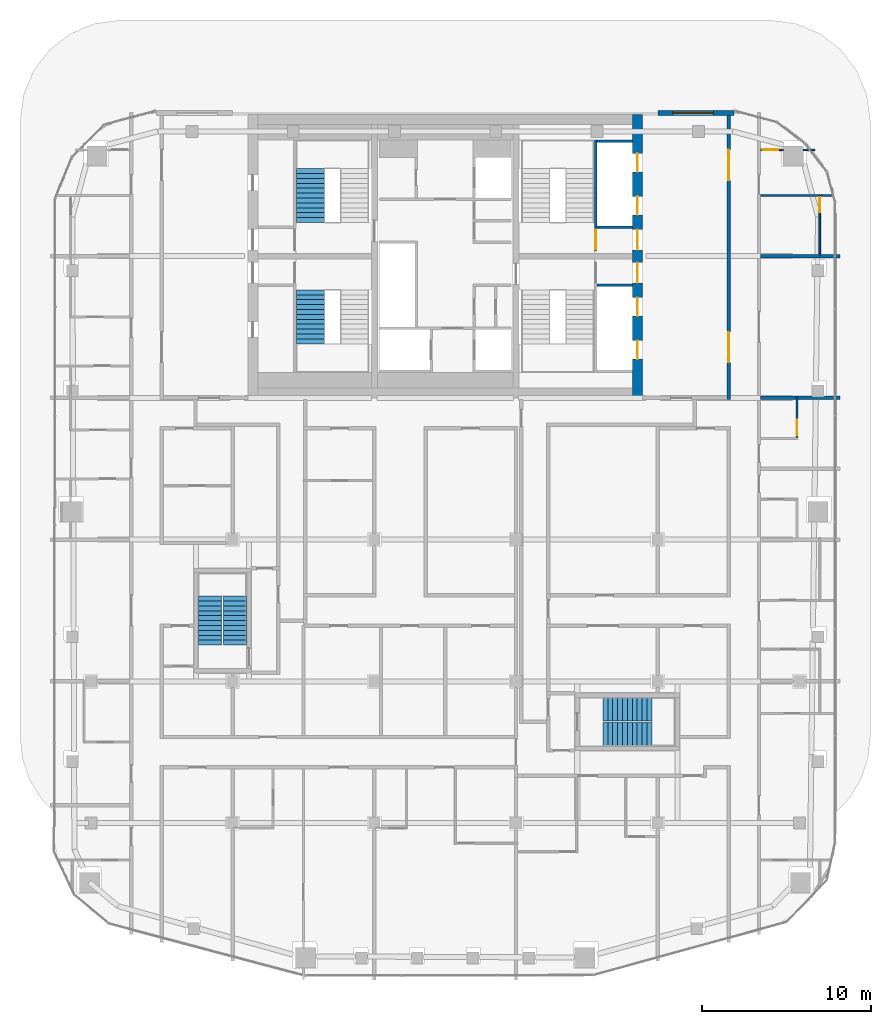
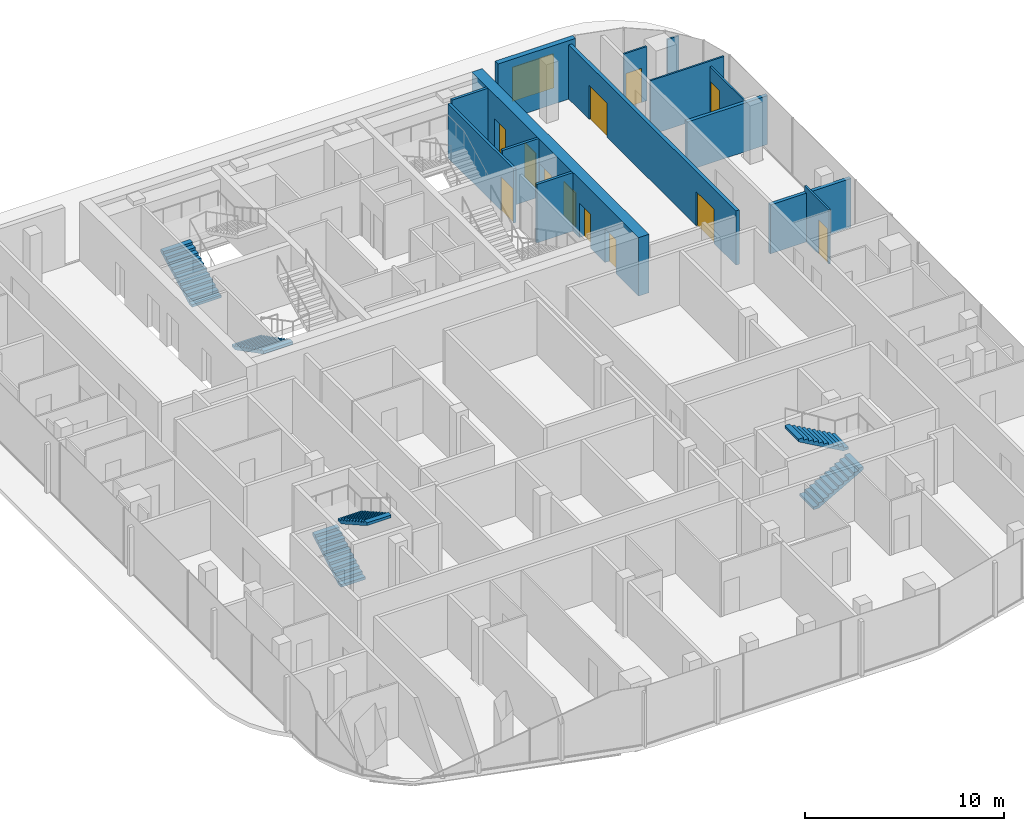
# One storey, part 19 of 21: 14 walls, 12 doors, 6 stair flights, 1 window, 13 openings, 4 elements without a shape of their own.
"""IFC4 building model written with IfcOpenShell, lengths in metres."""

from ifc_helpers import new_model, si_unit, direction, frame, frame_2d, origin, place, context, subcontext, project, spatial, polyline, rectangle, outline, extrude, material, layer, layer_set, type_object, element, fill, aggregate, save


model = new_model("IFC4")

# Units and contexts
model_context = context("Model", 3, precision=1e-05, world=origin(), true_north=direction((0.0, 1.0)))
body_context = subcontext(model_context, "Body", "Model", "MODEL_VIEW")
ifc_project = project(units=[si_unit("LENGTHUNIT", "METRE"), si_unit("AREAUNIT", "SQUARE_METRE"), si_unit("VOLUMEUNIT", "CUBIC_METRE"), si_unit("PLANEANGLEUNIT", "RADIAN"), si_unit("MASSUNIT", "GRAM", prefix="KILO")], contexts=[model_context])

# Site, building, storey
site_placement = place(None, origin())
site = spatial("IfcSite", under=ifc_project, at=site_placement, CompositionType="ELEMENT")
building_placement = place(site_placement, origin())
building = spatial("IfcBuilding", under=site, at=building_placement, Name="Marenta Gate Hotel Tower", CompositionType="ELEMENT")
storey_placement = place(building_placement, frame((0.0, 0.0, 266.89990234375)))
storey = spatial("IfcBuildingStorey", under=building, at=storey_placement, Name="L61", CompositionType="ELEMENT", Elevation=266.89990234375)

# Wall, opening, window
ifc_material_1 = material(Name="Concrete C40 board-marked", Category="concrete")
ifc_layer_1 = layer(ifc_material_1, 0.300048828125)
ifc_layer_set_1 = layer_set([ifc_layer_1], Name="Concrete C40 board-marked")
wall_type_1 = type_object("IfcWallType", Name="Board-marked concrete wall 300 mm", PredefinedType="NOTDEFINED", material=ifc_layer_set_1)
wall_1_placement = place(storey_placement, frame((17.10595703125, 16.889892578125, 0.0), z_axis=(0.0, 0.0, 1.0), x_axis=(-1.0, 0.0, 0.0)))
wall_1 = element("IfcWall", 1, at=wall_1_placement, inside=storey, type_object=wall_type_1, Name="L61-CLD-N00", PredefinedType="NOTDEFINED", context=body_context, shape_type="SweptSolid", body=[
    extrude(rectangle(XDim=4.505859375, YDim=0.300048828125, at=frame_2d((2.2529296875, 0.0))), origin(), (0.0, 0.0, 1.0), 3.60009765625),
])
opening_1_placement = place(wall_1_placement, frame((1.205810546875, 0.0, 0.89990234375)))
opening_1 = element("IfcOpeningElement", 2, at=opening_1_placement, cuts=wall_1, Name="Opening W1", PredefinedType="OPENING", context=body_context, shape_type="SweptSolid", body=[
    extrude(rectangle(XDim=2.39990234375, YDim=2.10009765625, at=frame_2d((1.199951171875, 1.050048828125))), frame((0.0, 0.14990234375, 0.0), z_axis=(0.0, -1.0, 0.0), x_axis=(1.0, 0.0, 0.0)), (0.0, 0.0, 1.0), 0.300048828125),
])
ifc_material_2 = material(Name="Tinted insulated glass in bronze anodised frame", Category="glass")
window_type = type_object("IfcWindowType", Name="Window W1 2400x2100 bronze frame", PartitioningType="SINGLE_PANEL", PredefinedType="WINDOW", material=ifc_material_2)
window_placement = place(opening_1_placement, origin())
window = element("IfcWindow", 3, at=window_placement, inside=storey, type_object=window_type, Name="Window W1", OverallHeight=2.10009765625, OverallWidth=2.39990234375, PartitioningType="SINGLE_PANEL", PredefinedType="WINDOW", context=body_context, shape_type="SweptSolid", body=[
    extrude(rectangle(XDim=2.39990234375, YDim=2.10009765625, at=frame_2d((1.199951171875, 1.050048828125))), frame((0.0, 0.030029296875, 0.0), z_axis=(0.0, -1.0, 0.0), x_axis=(1.0, 0.0, 0.0)), (0.0, 0.0, 1.0), 0.06005859375),
])
fill(opening_1, window)

# Wall, openings, doors
ifc_material_3 = material(Name="Concrete blockwork", Category="masonry")
ifc_layer_2 = layer(ifc_material_3, 0.199951171875)
ifc_layer_set_2 = layer_set([ifc_layer_2], Name="Concrete blockwork")
wall_type_2 = type_object("IfcWallType", Name="Core boundary wall 200 REI 180", PredefinedType="PARTITIONING", material=ifc_layer_set_2)
wall_2_placement = place(storey_placement, frame((16.800048828125, -0.10009765625, 0.0), z_axis=(0.0, 0.0, 1.0), x_axis=(0.0, 1.0, 0.0)))
wall_2 = element("IfcWall", 4, at=wall_2_placement, inside=storey, type_object=wall_type_2, Name="L61-CP-BW-E", PredefinedType="PARTITIONING", context=body_context, shape_type="SweptSolid", body=[
    extrude(rectangle(XDim=17.0, YDim=0.199951171875, at=frame_2d((8.5, 0.0))), origin(), (0.0, 0.0, 1.0), 3.340087890625),
])
opening_2_placement = place(wall_2_placement, frame((2.199951171875, 0.0, 0.0)))
opening_2 = element("IfcOpeningElement", 5, at=opening_2_placement, cuts=wall_2, Name="Opening ED-Ea-B", PredefinedType="OPENING", context=body_context, shape_type="SweptSolid", body=[
    extrude(rectangle(XDim=1.800048828125, YDim=2.10009765625, at=frame_2d((0.89990234375, 1.050048828125))), frame((0.0, 0.10009765625, 0.0), z_axis=(0.0, -1.0, 0.0), x_axis=(1.0, 0.0, 0.0)), (0.0, 0.0, 1.0), 0.199951171875),
])
opening_3_placement = place(wall_2_placement, frame((13.0, 0.0, 0.0)))
opening_3 = element("IfcOpeningElement", 6, at=opening_3_placement, cuts=wall_2, Name="Opening ED-Eb-B", PredefinedType="OPENING", context=body_context, shape_type="SweptSolid", body=[
    extrude(rectangle(XDim=1.800048828125, YDim=2.10009765625, at=frame_2d((0.89990234375, 1.050048828125))), frame((0.0, 0.10009765625, 0.0), z_axis=(0.0, -1.0, 0.0), x_axis=(1.0, 0.0, 0.0)), (0.0, 0.0, 1.0), 0.199951171875),
])
ifc_material_4 = material(Name="Steel", Category="steel")
door_type_1 = type_object("IfcDoorType", Name="Core lobby entrance door 1800x2100 EI 60", OperationType="DOUBLE_DOOR_SINGLE_SWING", PredefinedType="DOOR", material=ifc_material_4)
door_1_placement = place(opening_2_placement, origin())
door_1 = element("IfcDoor", 7, at=door_1_placement, inside=storey, type_object=door_type_1, Name="ED-Ea-B", OperationType="DOUBLE_DOOR_SINGLE_SWING", OverallHeight=2.10009765625, OverallWidth=1.800048828125, PredefinedType="DOOR", context=body_context, shape_type="SweptSolid", body=[
    extrude(rectangle(XDim=1.800048828125, YDim=2.10009765625, at=frame_2d((0.89990234375, 1.050048828125))), frame((0.0, 0.02490234375, 0.0), z_axis=(0.0, -1.0, 0.0), x_axis=(1.0, 0.0, 0.0)), (0.0, 0.0, 1.0), 0.050048828125),
])
fill(opening_2, door_1)
door_2_placement = place(opening_3_placement, origin())
door_2 = element("IfcDoor", 8, at=door_2_placement, inside=storey, type_object=door_type_1, Name="ED-Eb-B", OperationType="DOUBLE_DOOR_SINGLE_SWING", OverallHeight=2.10009765625, OverallWidth=1.800048828125, PredefinedType="DOOR", context=body_context, shape_type="SweptSolid", body=[
    extrude(rectangle(XDim=1.800048828125, YDim=2.10009765625, at=frame_2d((0.89990234375, 1.050048828125))), frame((0.0, 0.02490234375, 0.0), z_axis=(0.0, -1.0, 0.0), x_axis=(1.0, 0.0, 0.0)), (0.0, 0.0, 1.0), 0.050048828125),
])
fill(opening_3, door_2)

# Walls
ifc_material_5 = material(Name="Concrete C40", Category="concrete")
ifc_layer_3 = layer(ifc_material_5, 0.14990234375)
ifc_layer_set_3 = layer_set([ifc_layer_3], Name="Concrete C40")
wall_type_3 = type_object("IfcWallType", Name="Core shaft wall 150 REI 180", PredefinedType="SHEAR", material=ifc_layer_set_3)
for number, where, z_axis, x_axis, name in (
    (9, (9.0, 6.675048828125, 0.0), (0.0, 0.0, 1.0), (1.0, 0.0, 0.0), "L61-SHF-SW-ES-2"),
    (10, (9.0, 10.125, 0.0), (0.0, 0.0, 1.0), (1.0, 0.0, 0.0), "L61-SHF-SW-EN-2"),
    (11, (9.0, 15.22509765625, 0.0), (0.0, 0.0, 1.0), (1.0, 0.0, 0.0), "L61-SHF-SW-EN-5"),
):
    element("IfcWall", number, at=place(storey_placement, frame(where, z_axis=z_axis, x_axis=x_axis)), inside=storey, type_object=wall_type_3, Name=name, PredefinedType="SHEAR", context=body_context, shape_type="SweptSolid", body=[
        extrude(rectangle(XDim=2.10009765625, YDim=0.14990234375, at=frame_2d((1.050048828125, 0.0))), origin(), (0.0, 0.0, 1.0), 3.60009765625),
    ])

# Wall, opening, door
ifc_material_6 = material(Name="Concrete C40", Category="concrete")
ifc_layer_4 = layer(ifc_material_6, 0.14990234375)
ifc_layer_set_4 = layer_set([ifc_layer_4], Name="Concrete C40")
wall_type_4 = type_object("IfcWallType", Name="Core stair enclosure wall 150 REI 180", PredefinedType="SHEAR", material=ifc_layer_set_4)
wall_3_placement = place(storey_placement, frame((8.925048828125, 8.699951171875, 0.0), z_axis=(0.0, 0.0, 1.0), x_axis=(0.0, 1.0, 0.0)))
wall_3 = element("IfcWall", 12, at=wall_3_placement, inside=storey, type_object=wall_type_4, Name="L61-SHF-SW-EN-3", PredefinedType="SHEAR", context=body_context, shape_type="SweptSolid", body=[
    extrude(rectangle(XDim=6.60009765625, YDim=0.14990234375, at=frame_2d((3.300048828125, 0.0))), origin(), (0.0, 0.0, 1.0), 3.340087890625),
])
opening_4_placement = place(wall_3_placement, frame((0.074951171875, 0.0, 0.0)))
opening_4 = element("IfcOpeningElement", 13, at=opening_4_placement, cuts=wall_3, Name="Opening SD-EN", PredefinedType="OPENING", context=body_context, shape_type="SweptSolid", body=[
    extrude(rectangle(XDim=1.199951171875, YDim=2.10009765625, at=frame_2d((0.60009765625, 1.050048828125))), frame((0.0, 0.074951171875, 0.0), z_axis=(0.0, -1.0, 0.0), x_axis=(1.0, 0.0, 0.0)), (0.0, 0.0, 1.0), 0.14990234375),
])
ifc_material_7 = material(Name="Steel", Category="steel")
door_type_2 = type_object("IfcDoorType", Name="Core stair door 1200x2100 FD60", OperationType="SINGLE_SWING_LEFT", PredefinedType="DOOR", material=ifc_material_7)
door_3_placement = place(opening_4_placement, origin())
door_3 = element("IfcDoor", 14, at=door_3_placement, inside=storey, type_object=door_type_2, Name="SD-EN", OperationType="SINGLE_SWING_LEFT", OverallHeight=2.10009765625, OverallWidth=1.199951171875, PredefinedType="DOOR", context=body_context, shape_type="SweptSolid", body=[
    extrude(rectangle(XDim=1.199951171875, YDim=2.10009765625, at=frame_2d((0.60009765625, 1.050048828125))), frame((0.0, 0.02490234375, 0.0), z_axis=(0.0, -1.0, 0.0), x_axis=(1.0, 0.0, 0.0)), (0.0, 0.0, 1.0), 0.050048828125),
])
fill(opening_4, door_3)

# Wall, openings, doors
ifc_material_8 = material(Name="Concrete C50", Category="concrete")
ifc_layer_5 = layer(ifc_material_8, 0.60009765625)
ifc_layer_set_5 = layer_set([ifc_layer_5], Name="Concrete C50")
wall_type_5 = type_object("IfcWallType", Name="Core wall 600 C50", PredefinedType="SHEAR", material=ifc_layer_set_5)
wall_4_placement = place(storey_placement, frame((11.39990234375, 0.0, 0.0), z_axis=(0.0, 0.0, 1.0), x_axis=(0.0, 1.0, 0.0)))
wall_4 = element("IfcWall", 15, at=wall_4_placement, inside=storey, type_object=wall_type_5, Name="L61-CORE-E", PredefinedType="SHEAR", context=body_context, shape_type="SweptSolid", body=[
    extrude(rectangle(XDim=16.800048828125, YDim=0.60009765625, at=frame_2d((8.39990234375, 0.0))), origin(), (0.0, 0.0, 1.0), 3.60009765625),
])
opening_5_placement = place(wall_4_placement, frame((2.300048828125, 0.0, 0.0)))
opening_5 = element("IfcOpeningElement", 16, at=opening_5_placement, cuts=wall_4, Name="Opening LD-HR1", PredefinedType="OPENING", context=body_context, shape_type="SweptSolid", body=[
    extrude(rectangle(XDim=1.10009765625, YDim=2.10009765625, at=frame_2d((0.550048828125, 1.050048828125))), frame((0.0, 0.300048828125, 0.0), z_axis=(0.0, -1.0, 0.0), x_axis=(1.0, 0.0, 0.0)), (0.0, 0.0, 1.0), 0.60009765625),
])
opening_6_placement = place(wall_4_placement, frame((4.85009765625, 0.0, 0.0)))
opening_6 = element("IfcOpeningElement", 17, at=opening_6_placement, cuts=wall_4, Name="Opening LD-HR2", PredefinedType="OPENING", context=body_context, shape_type="SweptSolid", body=[
    extrude(rectangle(XDim=1.10009765625, YDim=2.10009765625, at=frame_2d((0.550048828125, 1.050048828125))), frame((0.0, 0.300048828125, 0.0), z_axis=(0.0, -1.0, 0.0), x_axis=(1.0, 0.0, 0.0)), (0.0, 0.0, 1.0), 0.60009765625),
])
opening_7_placement = place(wall_4_placement, frame((6.824951171875, 0.0, 0.0)))
opening_7 = element("IfcOpeningElement", 18, at=opening_7_placement, cuts=wall_4, Name="Opening PD-ES", PredefinedType="OPENING", context=body_context, shape_type="SweptSolid", body=[
    extrude(rectangle(XDim=1.199951171875, YDim=2.10009765625, at=frame_2d((0.60009765625, 1.050048828125))), frame((0.0, 0.300048828125, 0.0), z_axis=(0.0, -1.0, 0.0), x_axis=(1.0, 0.0, 0.0)), (0.0, 0.0, 1.0), 0.60009765625),
])
opening_8_placement = place(wall_4_placement, frame((13.39990234375, 0.0, 0.0)))
opening_8 = element("IfcOpeningElement", 19, at=opening_8_placement, cuts=wall_4, Name="Opening LD-HR4", PredefinedType="OPENING", context=body_context, shape_type="SweptSolid", body=[
    extrude(rectangle(XDim=1.10009765625, YDim=2.10009765625, at=frame_2d((0.550048828125, 1.050048828125))), frame((0.0, 0.300048828125, 0.0), z_axis=(0.0, -1.0, 0.0), x_axis=(1.0, 0.0, 0.0)), (0.0, 0.0, 1.0), 0.60009765625),
])
opening_9_placement = place(wall_4_placement, frame((10.85009765625, 0.0, 0.0)))
opening_9 = element("IfcOpeningElement", 20, at=opening_9_placement, cuts=wall_4, Name="Opening LD-HR3", PredefinedType="OPENING", context=body_context, shape_type="SweptSolid", body=[
    extrude(rectangle(XDim=1.10009765625, YDim=2.10009765625, at=frame_2d((0.550048828125, 1.050048828125))), frame((0.0, 0.300048828125, 0.0), z_axis=(0.0, -1.0, 0.0), x_axis=(1.0, 0.0, 0.0)), (0.0, 0.0, 1.0), 0.60009765625),
])
opening_10_placement = place(wall_4_placement, frame((8.77490234375, 0.0, 0.0)))
opening_10 = element("IfcOpeningElement", 21, at=opening_10_placement, cuts=wall_4, Name="Opening PD-EN", PredefinedType="OPENING", context=body_context, shape_type="SweptSolid", body=[
    extrude(rectangle(XDim=1.199951171875, YDim=2.10009765625, at=frame_2d((0.60009765625, 1.050048828125))), frame((0.0, 0.300048828125, 0.0), z_axis=(0.0, -1.0, 0.0), x_axis=(1.0, 0.0, 0.0)), (0.0, 0.0, 1.0), 0.60009765625),
])
ifc_material_9 = material(Name="Steel", Category="steel")
door_type_3 = type_object("IfcDoorType", Name="Core lift landing door 1100x2100 E 60", OperationType="SLIDING_TO_LEFT", PredefinedType="DOOR", material=ifc_material_9)
door_4_placement = place(opening_5_placement, origin())
door_4 = element("IfcDoor", 22, at=door_4_placement, inside=storey, type_object=door_type_3, Name="LD-HR1", OperationType="SLIDING_TO_LEFT", OverallHeight=2.10009765625, OverallWidth=1.10009765625, PredefinedType="DOOR", context=body_context, shape_type="SweptSolid", body=[
    extrude(rectangle(XDim=1.10009765625, YDim=2.10009765625, at=frame_2d((0.550048828125, 1.050048828125))), frame((0.0, 0.02490234375, 0.0), z_axis=(0.0, -1.0, 0.0), x_axis=(1.0, 0.0, 0.0)), (0.0, 0.0, 1.0), 0.050048828125),
])
fill(opening_5, door_4)
door_5_placement = place(opening_6_placement, origin())
door_5 = element("IfcDoor", 23, at=door_5_placement, inside=storey, type_object=door_type_3, Name="LD-HR2", OperationType="SLIDING_TO_LEFT", OverallHeight=2.10009765625, OverallWidth=1.10009765625, PredefinedType="DOOR", context=body_context, shape_type="SweptSolid", body=[
    extrude(rectangle(XDim=1.10009765625, YDim=2.10009765625, at=frame_2d((0.550048828125, 1.050048828125))), frame((0.0, 0.02490234375, 0.0), z_axis=(0.0, -1.0, 0.0), x_axis=(1.0, 0.0, 0.0)), (0.0, 0.0, 1.0), 0.050048828125),
])
fill(opening_6, door_5)
door_6_placement = place(opening_8_placement, origin())
door_6 = element("IfcDoor", 24, at=door_6_placement, inside=storey, type_object=door_type_3, Name="LD-HR4", OperationType="SLIDING_TO_LEFT", OverallHeight=2.10009765625, OverallWidth=1.10009765625, PredefinedType="DOOR", context=body_context, shape_type="SweptSolid", body=[
    extrude(rectangle(XDim=1.10009765625, YDim=2.10009765625, at=frame_2d((0.550048828125, 1.050048828125))), frame((0.0, 0.02490234375, 0.0), z_axis=(0.0, -1.0, 0.0), x_axis=(1.0, 0.0, 0.0)), (0.0, 0.0, 1.0), 0.050048828125),
])
fill(opening_8, door_6)
door_7_placement = place(opening_9_placement, origin())
door_7 = element("IfcDoor", 25, at=door_7_placement, inside=storey, type_object=door_type_3, Name="LD-HR3", OperationType="SLIDING_TO_LEFT", OverallHeight=2.10009765625, OverallWidth=1.10009765625, PredefinedType="DOOR", context=body_context, shape_type="SweptSolid", body=[
    extrude(rectangle(XDim=1.10009765625, YDim=2.10009765625, at=frame_2d((0.550048828125, 1.050048828125))), frame((0.0, 0.02490234375, 0.0), z_axis=(0.0, -1.0, 0.0), x_axis=(1.0, 0.0, 0.0)), (0.0, 0.0, 1.0), 0.050048828125),
])
fill(opening_9, door_7)
ifc_material_10 = material(Name="Steel", Category="steel")
door_type_4 = type_object("IfcDoorType", Name="Core lobby door 1200x2100 FD60", OperationType="SINGLE_SWING_LEFT", PredefinedType="DOOR", material=ifc_material_10)
door_8_placement = place(opening_7_placement, origin())
door_8 = element("IfcDoor", 26, at=door_8_placement, inside=storey, type_object=door_type_4, Name="PD-ES", OperationType="SINGLE_SWING_LEFT", OverallHeight=2.10009765625, OverallWidth=1.199951171875, PredefinedType="DOOR", context=body_context, shape_type="SweptSolid", body=[
    extrude(rectangle(XDim=1.199951171875, YDim=2.10009765625, at=frame_2d((0.60009765625, 1.050048828125))), frame((0.0, 0.02490234375, 0.0), z_axis=(0.0, -1.0, 0.0), x_axis=(1.0, 0.0, 0.0)), (0.0, 0.0, 1.0), 0.050048828125),
])
fill(opening_7, door_8)
door_9_placement = place(opening_10_placement, origin())
door_9 = element("IfcDoor", 27, at=door_9_placement, inside=storey, type_object=door_type_4, Name="PD-EN", OperationType="SINGLE_SWING_LEFT", OverallHeight=2.10009765625, OverallWidth=1.199951171875, PredefinedType="DOOR", context=body_context, shape_type="SweptSolid", body=[
    extrude(rectangle(XDim=1.199951171875, YDim=2.10009765625, at=frame_2d((0.60009765625, 1.050048828125))), frame((0.0, 0.02490234375, 0.0), z_axis=(0.0, -1.0, 0.0), x_axis=(1.0, 0.0, 0.0)), (0.0, 0.0, 1.0), 0.050048828125),
])
fill(opening_10, door_9)

# Wall, opening, door
ifc_material_11 = material(Name="Gypsum board on steel stud", Category="steel")
ifc_layer_6 = layer(ifc_material_11, 0.10009765625)
ifc_layer_set_6 = layer_set([ifc_layer_6], Name="Gypsum board on steel stud")
wall_type_6 = type_object("IfcWallType", Name="Room partition 100", PredefinedType="PARTITIONING", material=ifc_layer_set_6)
wall_5_placement = place(storey_placement, frame((22.199951171875, 8.5, 0.0), z_axis=(0.0, 0.0, 1.0), x_axis=(0.0, 1.0, 0.0)))
wall_5 = element("IfcWall", 28, at=wall_5_placement, inside=storey, type_object=wall_type_6, Name="L61-PTN-W015", PredefinedType="PARTITIONING", context=body_context, shape_type="SweptSolid", body=[
    extrude(rectangle(XDim=3.550048828125, YDim=0.10009765625, at=frame_2d((1.77490234375, 0.0))), origin(), (0.0, 0.0, 1.0), 3.0),
])
opening_11_placement = place(wall_5_placement, frame((2.5, 0.0, 0.0)))
opening_11 = element("IfcOpeningElement", 29, at=opening_11_placement, cuts=wall_5, Name="Opening G22-26", PredefinedType="OPENING", context=body_context, shape_type="SweptSolid", body=[
    extrude(rectangle(XDim=0.89990234375, YDim=2.10009765625, at=frame_2d((0.449951171875, 1.050048828125))), frame((0.0, 0.050048828125, 0.0), z_axis=(0.0, -1.0, 0.0), x_axis=(1.0, 0.0, 0.0)), (0.0, 0.0, 1.0), 0.10009765625),
])
ifc_material_12 = material(Name="Timber door leaf", Category="wood")
door_type_5 = type_object("IfcDoorType", Name="Guest bathroom door 900x2100", OperationType="NOTDEFINED", PredefinedType="DOOR", material=ifc_material_12)
door_10_placement = place(opening_11_placement, origin())
door_10 = element("IfcDoor", 30, at=door_10_placement, inside=storey, type_object=door_type_5, Name="L61-PD-D026", OperationType="SINGLE_SWING_RIGHT", OverallHeight=2.10009765625, OverallWidth=0.89990234375, PredefinedType="DOOR", context=body_context, shape_type="SweptSolid", body=[
    extrude(rectangle(XDim=0.89990234375, YDim=2.10009765625, at=frame_2d((0.449951171875, 1.050048828125))), frame((0.0, 0.02490234375, 0.0), z_axis=(0.0, -1.0, 0.0), x_axis=(1.0, 0.0, 0.0)), (0.0, 0.0, 1.0), 0.050048828125),
])
fill(opening_11, door_10)

wall_6_placement = place(storey_placement, frame((20.85009765625, -2.35009765625, 0.0), z_axis=(0.0, 0.0, 1.0), x_axis=(0.0, 1.0, 0.0)))
wall_6 = element("IfcWall", 31, at=wall_6_placement, inside=storey, type_object=wall_type_6, Name="L61-PTN-W020", PredefinedType="PARTITIONING", context=body_context, shape_type="SweptSolid", body=[
    extrude(rectangle(XDim=2.4501953125, YDim=0.10009765625, at=frame_2d((1.22509765625, 0.0))), origin(), (0.0, 0.0, 1.0), 3.340087890625),
])
opening_12_placement = place(wall_6_placement, frame((0.14990234375, 0.0, 0.0)))
opening_12 = element("IfcOpeningElement", 32, at=opening_12_placement, cuts=wall_6, Name="Opening G22-23", PredefinedType="OPENING", context=body_context, shape_type="SweptSolid", body=[
    extrude(rectangle(XDim=0.89990234375, YDim=2.10009765625, at=frame_2d((0.449951171875, 1.050048828125))), frame((0.0, 0.050048828125, 0.0), z_axis=(0.0, -1.0, 0.0), x_axis=(1.0, 0.0, 0.0)), (0.0, 0.0, 1.0), 0.10009765625),
])
door_11_placement = place(opening_12_placement, origin())
door_11 = element("IfcDoor", 33, at=door_11_placement, inside=storey, type_object=door_type_5, Name="L61-PD-D023", OperationType="SINGLE_SWING_LEFT", OverallHeight=2.10009765625, OverallWidth=0.89990234375, PredefinedType="DOOR", context=body_context, shape_type="SweptSolid", body=[
    extrude(rectangle(XDim=0.89990234375, YDim=2.10009765625, at=frame_2d((0.449951171875, 1.050048828125))), frame((0.0, 0.02490234375, 0.0), z_axis=(0.0, -1.0, 0.0), x_axis=(1.0, 0.0, 0.0)), (0.0, 0.0, 1.0), 0.050048828125),
])
fill(opening_12, door_11)

# Wall
wall_7_placement = place(storey_placement, frame((18.699951171875, 12.0, 0.0), z_axis=(0.0, 0.0, 1.0), x_axis=(1.0, 0.0, 0.0)))
element("IfcWall", 34, at=wall_7_placement, inside=storey, type_object=wall_type_6, Name="L61-PTN-W101", PredefinedType="PARTITIONING", context=body_context, shape_type="SweptSolid", body=[
    extrude(rectangle(XDim=4.275146484375, YDim=0.10009765625, at=frame_2d((2.1376953125, 0.0))), origin(), (0.0, 0.0, 1.0), 3.340087890625),
])

# Wall, opening, door
wall_8_placement = place(storey_placement, frame((18.699951171875, 14.702880859375, 0.0), z_axis=(0.0, 0.0, 1.0), x_axis=(1.0, 0.0, 0.0)))
wall_8 = element("IfcWall", 35, at=wall_8_placement, inside=storey, type_object=wall_type_6, Name="L61-PTN-W106", PredefinedType="PARTITIONING", context=body_context, shape_type="SweptSolid", body=[
    extrude(rectangle(XDim=1.3349609375, YDim=0.10009765625, at=frame_2d((0.66748046875, 0.0))), origin(), (0.0, 0.0, 1.0), 3.340087890625),
])
opening_13_placement = place(wall_8_placement, frame((0.1298828125, 0.0, 0.0)))
opening_13 = element("IfcOpeningElement", 36, at=opening_13_placement, cuts=wall_8, Name="Opening G22-27", PredefinedType="OPENING", context=body_context, shape_type="SweptSolid", body=[
    extrude(rectangle(XDim=0.89990234375, YDim=2.10009765625, at=frame_2d((0.449951171875, 1.050048828125))), frame((0.0, 0.050048828125, 0.0), z_axis=(0.0, -1.0, 0.0), x_axis=(1.0, 0.0, 0.0)), (0.0, 0.0, 1.0), 0.10009765625),
])
ifc_material_13 = material(Name="Timber door leaf", Category="wood")
door_type_6 = type_object("IfcDoorType", Name="Room inner door 900x2100", OperationType="NOTDEFINED", PredefinedType="DOOR", material=ifc_material_13)
door_12_placement = place(opening_13_placement, origin())
door_12 = element("IfcDoor", 37, at=door_12_placement, inside=storey, type_object=door_type_6, Name="L61-PD-D027", OperationType="SINGLE_SWING_RIGHT", OverallHeight=2.10009765625, OverallWidth=0.89990234375, PredefinedType="DOOR", context=body_context, shape_type="SweptSolid", body=[
    extrude(rectangle(XDim=0.89990234375, YDim=2.10009765625, at=frame_2d((0.449951171875, 1.050048828125))), frame((0.0, 0.02490234375, 0.0), z_axis=(0.0, -1.0, 0.0), x_axis=(1.0, 0.0, 0.0)), (0.0, 0.0, 1.0), 0.050048828125),
])
fill(opening_13, door_12)

# Walls
wall_9_placement = place(storey_placement, frame((21.236083984375, 14.702880859375, 0.0), z_axis=(0.0, 0.0, 1.0), x_axis=(1.0, 0.0, 0.0)))
element("IfcWall", 38, at=wall_9_placement, inside=storey, type_object=wall_type_6, Name="L61-PTN-W119", PredefinedType="PARTITIONING", context=body_context, shape_type="SweptSolid", body=[
    extrude(rectangle(XDim=0.66796875, YDim=0.10009765625, at=frame_2d((0.333984375, 0.0))), origin(), (0.0, 0.0, 1.0), 3.340087890625),
])
ifc_material_14 = material(Name="Gypsum board on steel stud", Category="steel")
ifc_layer_7 = layer(ifc_material_14, 0.199951171875)
ifc_layer_set_7 = layer_set([ifc_layer_7], Name="Gypsum board on steel stud")
wall_type_7 = type_object("IfcWallType", Name="Room party wall 200 EI 60", PredefinedType="PARTITIONING", material=ifc_layer_set_7)
for number, where, z_axis, x_axis, name in (
    (39, (18.699951171875, 0.0, 0.0), (0.0, 0.0, 1.0), (1.0, 0.0, 0.0), "L61-PTN-W081"),
    (40, (18.699951171875, 8.39990234375, 0.0), (0.0, 0.0, 1.0), (1.0, 0.0, 0.0), "L61-PTN-W096"),
):
    element("IfcWall", number, at=place(storey_placement, frame(where, z_axis=z_axis, x_axis=x_axis)), inside=storey, type_object=wall_type_7, Name=name, PredefinedType="PARTITIONING", context=body_context, shape_type="SweptSolid", body=[
        extrude(rectangle(XDim=4.699951171875, YDim=0.199951171875, at=frame_2d((2.35009765625, 0.0))), origin(), (0.0, 0.0, 1.0), 3.0),
    ])

# Stair, stair flight
ifc_material_15 = material(Name="Concrete C40", Category="concrete")
stair_type_1 = type_object("IfcStairType", Name="Core exit stair 1700 wide", PredefinedType="HALF_TURN_STAIR", material=ifc_material_15)
stair_1_placement = place(storey_placement, origin())
stair_1 = element("IfcStair", 41, at=stair_1_placement, inside=storey, type_object=stair_type_1, Name="Exit stair 1", PredefinedType="HALF_TURN_STAIR")
ifc_material_16 = material(Name="Concrete C40", Category="concrete")
stair_flight_type_1 = type_object("IfcStairFlightType", Name="Core stair flight 1700 riser 150.0 going 290", PredefinedType="STRAIGHT", material=ifc_material_16)
stair_flight_1_placement = place(storey_placement, frame((-8.0, 6.39990234375, 0.0), z_axis=(0.0, 0.0, 1.0), x_axis=(0.0, -1.0, 0.0)))
stair_flight_1 = element("IfcStairFlight", 42, at=stair_flight_1_placement, type_object=stair_flight_type_1, Name="ST1 flight 1", NumberOfRisers=12, NumberOfTreads=11, PredefinedType="STRAIGHT", RiserHeight=0.15, TreadLength=0.29, context=body_context, shape_type="SweptSolid", body=[
    extrude(outline(polyline([(0.0, 0.0), (0.0, 0.14990234375), (0.2900390625, 0.14990234375), (0.2900390625, 0.300048828125), (0.580078125, 0.300048828125), (0.580078125, 0.449951171875), (0.8701171875, 0.449951171875), (0.8701171875, 0.60009765625), (1.159912109375, 0.60009765625), (1.159912109375, 0.75), (1.449951171875, 0.75), (1.449951171875, 0.89990234375), (1.739990234375, 0.89990234375), (1.739990234375, 1.050048828125), (2.030029296875, 1.050048828125), (2.030029296875, 1.199951171875), (2.320068359375, 1.199951171875), (2.320068359375, 1.35009765625), (2.610107421875, 1.35009765625), (2.610107421875, 1.5), (2.89990234375, 1.5), (2.89990234375, 1.64990234375), (3.18994140625, 1.64990234375), (3.18994140625, 1.800048828125), (3.18994140625, 1.481201171875), (0.326171875, 0.0), (0.0, 0.0)])), frame((0.0, 0.85009765625, 0.0), z_axis=(0.0, -1.0, 0.0), x_axis=(1.0, 0.0, 0.0)), (0.0, 0.0, 1.0), 1.699951171875),
])
aggregate(stair_1, [stair_flight_1])

stair_2_placement = place(storey_placement, origin())
stair_2 = element("IfcStair", 43, at=stair_2_placement, inside=storey, type_object=stair_type_1, Name="Exit stair 2", PredefinedType="HALF_TURN_STAIR")
stair_flight_2_placement = place(storey_placement, frame((-8.0, 10.39990234375, 0.0), z_axis=(0.0, 0.0, 1.0), x_axis=(0.0, 1.0, 0.0)))
stair_flight_2 = element("IfcStairFlight", 44, at=stair_flight_2_placement, type_object=stair_flight_type_1, Name="ST2 flight 1", NumberOfRisers=12, NumberOfTreads=11, PredefinedType="STRAIGHT", RiserHeight=0.15, TreadLength=0.29, context=body_context, shape_type="SweptSolid", body=[
    extrude(outline(polyline([(0.0, 0.0), (0.0, 0.14990234375), (0.2900390625, 0.14990234375), (0.2900390625, 0.300048828125), (0.580078125, 0.300048828125), (0.580078125, 0.449951171875), (0.8701171875, 0.449951171875), (0.8701171875, 0.60009765625), (1.159912109375, 0.60009765625), (1.159912109375, 0.75), (1.449951171875, 0.75), (1.449951171875, 0.89990234375), (1.739990234375, 0.89990234375), (1.739990234375, 1.050048828125), (2.030029296875, 1.050048828125), (2.030029296875, 1.199951171875), (2.320068359375, 1.199951171875), (2.320068359375, 1.35009765625), (2.610107421875, 1.35009765625), (2.610107421875, 1.5), (2.89990234375, 1.5), (2.89990234375, 1.64990234375), (3.18994140625, 1.64990234375), (3.18994140625, 1.800048828125), (3.18994140625, 1.481201171875), (0.326171875, 0.0), (0.0, 0.0)])), frame((0.0, 0.85009765625, 0.0), z_axis=(0.0, -1.0, 0.0), x_axis=(1.0, 0.0, 0.0)), (0.0, 0.0, 1.0), 1.699951171875),
])
aggregate(stair_2, [stair_flight_2])

# Stair, stair flights
ifc_material_17 = material(Name="Concrete C40", Category="concrete")
stair_type_2 = type_object("IfcStairType", Name="Remote exit stair 1400 wide", PredefinedType="HALF_TURN_STAIR", material=ifc_material_17)
stair_3_placement = place(storey_placement, origin())
stair_3 = element("IfcStair", 45, at=stair_3_placement, inside=storey, type_object=stair_type_2, Name="Exit stair RS-Z4-1", PredefinedType="HALF_TURN_STAIR")
ifc_material_18 = material(Name="Concrete C40", Category="concrete")
stair_flight_type_2 = type_object("IfcStairFlightType", Name="Remote stair flight 1400 riser 163.6 going 290", PredefinedType="STRAIGHT", material=ifc_material_18)
stair_flight_3_placement = place(storey_placement, frame((9.35009765625, -19.949951171875, 0.0), z_axis=(0.0, 0.0, 1.0), x_axis=(1.0, 0.0, 0.0)))
stair_flight_3 = element("IfcStairFlight", 46, at=stair_flight_3_placement, type_object=stair_flight_type_2, Name="RS-Z4-1 flight 1", NumberOfRisers=11, NumberOfTreads=10, PredefinedType="STRAIGHT", RiserHeight=0.163636, TreadLength=0.29, context=body_context, shape_type="SweptSolid", body=[
    extrude(outline(polyline([(0.0, 0.0), (0.0, 0.16357421875), (0.2900390625, 0.16357421875), (0.2900390625, 0.327392578125), (0.580078125, 0.327392578125), (0.580078125, 0.490966796875), (0.8701171875, 0.490966796875), (0.8701171875, 0.654541015625), (1.159912109375, 0.654541015625), (1.159912109375, 0.818115234375), (1.449951171875, 0.818115234375), (1.449951171875, 0.98193359375), (1.739990234375, 0.98193359375), (1.739990234375, 1.1455078125), (2.030029296875, 1.1455078125), (2.030029296875, 1.30908203125), (2.320068359375, 1.30908203125), (2.320068359375, 1.47265625), (2.610107421875, 1.47265625), (2.610107421875, 1.636474609375), (2.89990234375, 1.636474609375), (2.89990234375, 1.800048828125), (2.89990234375, 1.46435546875), (0.304931640625, 0.0), (0.0, 0.0)])), frame((0.0, 0.699951171875, 0.0), z_axis=(0.0, -1.0, 0.0), x_axis=(1.0, 0.0, 0.0)), (0.0, 0.0, 1.0), 1.39990234375),
])
stair_flight_4_placement = place(storey_placement, frame((12.25, -18.449951171875, 1.800048828125), z_axis=(0.0, 0.0, 1.0), x_axis=(-1.0, 0.0, 0.0)))
stair_flight_4 = element("IfcStairFlight", 47, at=stair_flight_4_placement, type_object=stair_flight_type_2, Name="RS-Z4-1 flight 2", NumberOfRisers=11, NumberOfTreads=10, PredefinedType="STRAIGHT", RiserHeight=0.163636, TreadLength=0.29, context=body_context, shape_type="SweptSolid", body=[
    extrude(outline(polyline([(0.0, 0.0), (0.0, 0.16357421875), (0.2900390625, 0.16357421875), (0.2900390625, 0.327392578125), (0.580078125, 0.327392578125), (0.580078125, 0.490966796875), (0.8701171875, 0.490966796875), (0.8701171875, 0.654541015625), (1.159912109375, 0.654541015625), (1.159912109375, 0.818115234375), (1.449951171875, 0.818115234375), (1.449951171875, 0.98193359375), (1.739990234375, 0.98193359375), (1.739990234375, 1.1455078125), (2.030029296875, 1.1455078125), (2.030029296875, 1.30908203125), (2.320068359375, 1.30908203125), (2.320068359375, 1.47265625), (2.610107421875, 1.47265625), (2.610107421875, 1.636474609375), (2.89990234375, 1.636474609375), (2.89990234375, 1.800048828125), (2.89990234375, 1.46435546875), (0.304931640625, 0.0), (0.0, 0.0)])), frame((0.0, 0.699951171875, 0.0), z_axis=(0.0, -1.0, 0.0), x_axis=(1.0, 0.0, 0.0)), (0.0, 0.0, 1.0), 1.39990234375),
])
aggregate(stair_3, [stair_flight_3, stair_flight_4])

stair_4_placement = place(storey_placement, origin())
stair_4 = element("IfcStair", 48, at=stair_4_placement, inside=storey, type_object=stair_type_2, Name="Exit stair RS-Z4-2", PredefinedType="HALF_TURN_STAIR")
stair_flight_5_placement = place(storey_placement, frame((-13.949951171875, -14.64990234375, 0.0), z_axis=(0.0, 0.0, 1.0), x_axis=(0.0, 1.0, 0.0)))
stair_flight_5 = element("IfcStairFlight", 49, at=stair_flight_5_placement, type_object=stair_flight_type_2, Name="RS-Z4-2 flight 1", NumberOfRisers=11, NumberOfTreads=10, PredefinedType="STRAIGHT", RiserHeight=0.163636, TreadLength=0.29, context=body_context, shape_type="SweptSolid", body=[
    extrude(outline(polyline([(0.0, 0.0), (0.0, 0.16357421875), (0.2900390625, 0.16357421875), (0.2900390625, 0.327392578125), (0.580078125, 0.327392578125), (0.580078125, 0.490966796875), (0.8701171875, 0.490966796875), (0.8701171875, 0.654541015625), (1.159912109375, 0.654541015625), (1.159912109375, 0.818115234375), (1.449951171875, 0.818115234375), (1.449951171875, 0.98193359375), (1.739990234375, 0.98193359375), (1.739990234375, 1.1455078125), (2.030029296875, 1.1455078125), (2.030029296875, 1.30908203125), (2.320068359375, 1.30908203125), (2.320068359375, 1.47265625), (2.610107421875, 1.47265625), (2.610107421875, 1.636474609375), (2.89990234375, 1.636474609375), (2.89990234375, 1.800048828125), (2.89990234375, 1.46435546875), (0.304931640625, 0.0), (0.0, 0.0)])), frame((0.0, 0.699951171875, 0.0), z_axis=(0.0, -1.0, 0.0), x_axis=(1.0, 0.0, 0.0)), (0.0, 0.0, 1.0), 1.39990234375),
])
stair_flight_6_placement = place(storey_placement, frame((-12.449951171875, -11.75, 1.800048828125), z_axis=(0.0, 0.0, 1.0), x_axis=(0.0, -1.0, 0.0)))
stair_flight_6 = element("IfcStairFlight", 50, at=stair_flight_6_placement, type_object=stair_flight_type_2, Name="RS-Z4-2 flight 2", NumberOfRisers=11, NumberOfTreads=10, PredefinedType="STRAIGHT", RiserHeight=0.163636, TreadLength=0.29, context=body_context, shape_type="SweptSolid", body=[
    extrude(outline(polyline([(0.0, 0.0), (0.0, 0.16357421875), (0.2900390625, 0.16357421875), (0.2900390625, 0.327392578125), (0.580078125, 0.327392578125), (0.580078125, 0.490966796875), (0.8701171875, 0.490966796875), (0.8701171875, 0.654541015625), (1.159912109375, 0.654541015625), (1.159912109375, 0.818115234375), (1.449951171875, 0.818115234375), (1.449951171875, 0.98193359375), (1.739990234375, 0.98193359375), (1.739990234375, 1.1455078125), (2.030029296875, 1.1455078125), (2.030029296875, 1.30908203125), (2.320068359375, 1.30908203125), (2.320068359375, 1.47265625), (2.610107421875, 1.47265625), (2.610107421875, 1.636474609375), (2.89990234375, 1.636474609375), (2.89990234375, 1.800048828125), (2.89990234375, 1.46435546875), (0.304931640625, 0.0), (0.0, 0.0)])), frame((0.0, 0.699951171875, 0.0), z_axis=(0.0, -1.0, 0.0), x_axis=(1.0, 0.0, 0.0)), (0.0, 0.0, 1.0), 1.39990234375),
])
aggregate(stair_4, [stair_flight_5, stair_flight_6])

save(model, "model.ifc")
